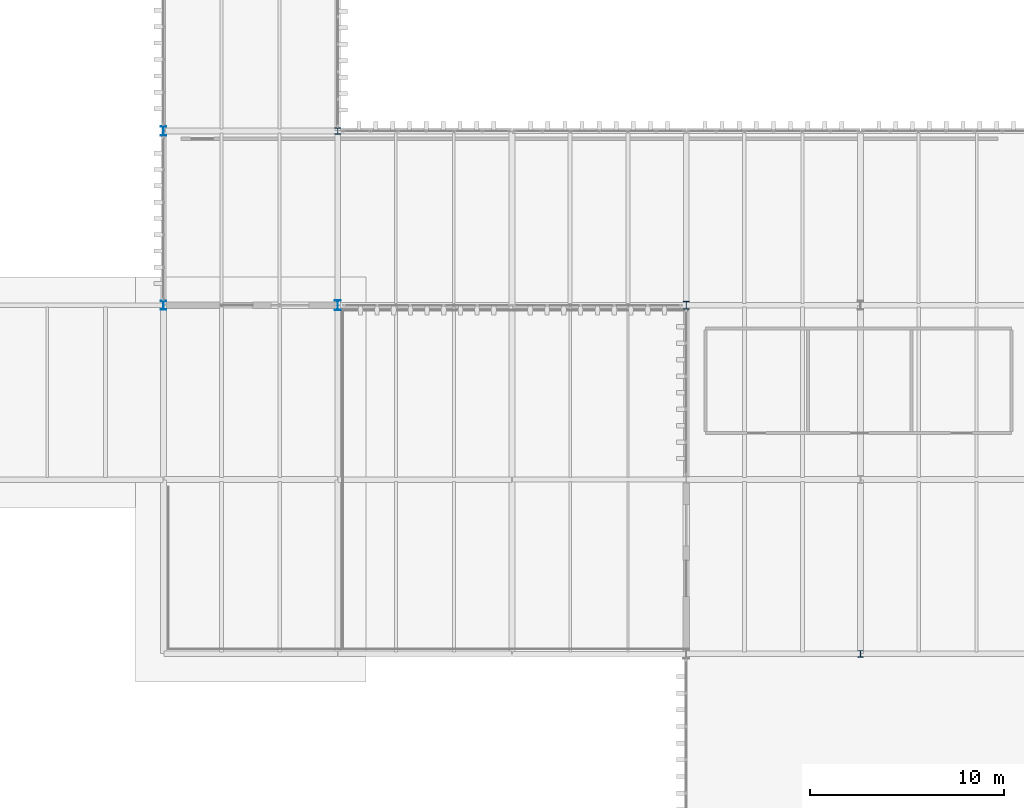
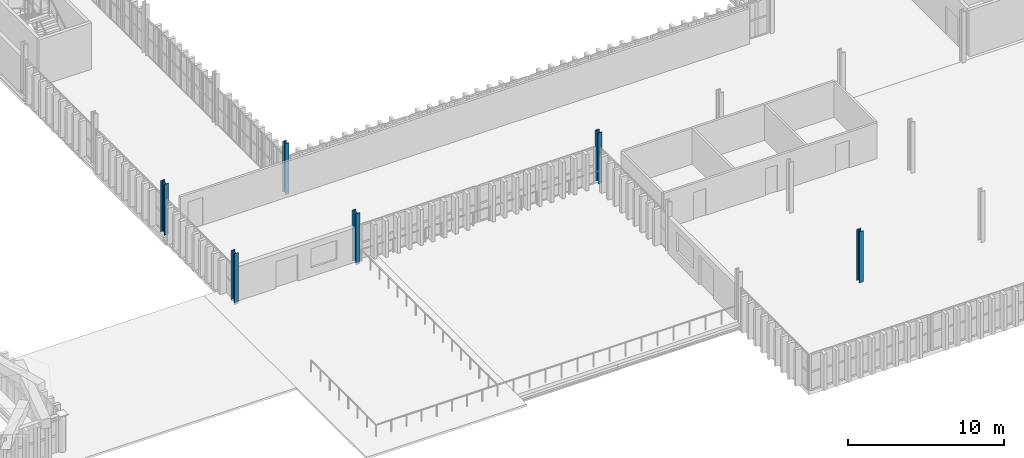
# One storey, part 7 of 102: 6 columns.
"""IFC4 building model written with IfcOpenShell, lengths in metres."""

from ifc_helpers import new_model, si_unit, direction, frame, origin, origin_2d, place, context, subcontext, project, spatial, i_section, extrude, material, material_profile, profile_set, type_object, element, save


model = new_model("IFC4")

# Units and contexts
model_context = context("Model", 3, precision=1e-05, world=origin(), true_north=direction((0.0, 1.0)))
body_context = subcontext(model_context, "Body", "Model", "MODEL_VIEW")
ifc_project = project(units=[si_unit("LENGTHUNIT", "METRE"), si_unit("AREAUNIT", "SQUARE_METRE"), si_unit("VOLUMEUNIT", "CUBIC_METRE"), si_unit("PLANEANGLEUNIT", "RADIAN"), si_unit("MASSUNIT", "GRAM", prefix="KILO")], contexts=[model_context])

# Site, building, storey
site_placement = place(None, origin())
site = spatial("IfcSite", under=ifc_project, at=site_placement, CompositionType="ELEMENT")
building_placement = place(site_placement, origin())
building = spatial("IfcBuilding", under=site, at=building_placement, Name="Barlavento Convention Centre", CompositionType="ELEMENT")
storey_placement = place(building_placement, frame((0.0, 0.0, 22.800048828125)))
storey = spatial("IfcBuildingStorey", under=building, at=storey_placement, Name="L04", CompositionType="ELEMENT", Elevation=22.800048828125)

# Columns
ifc_material = material(Name="Steel S355", Category="steel")
ifc_material_profile_1 = material_profile(ifc_material, i_section(OverallWidth=0.300048828125, OverallDepth=0.340087890625, WebThickness=0.011962890625, FlangeThickness=0.021484375, FilletRadius=0.027099609375, at=origin_2d()), Name="HEB 340")
ifc_profile_set_1 = profile_set([ifc_material_profile_1], Name="Steel S355")
column_type_1 = type_object("IfcColumnType", Name="STR-COL-HEB340", PredefinedType="COLUMN", material=ifc_profile_set_1)
for number, where, z_axis, x_axis, name in (
    (1, (135.0, 63.0, 0.0), (0.0, 0.0, 1.0), (1.0, 0.0, 0.0), "L04 column SC12"),
    (2, (162.0, 36.0, 0.0), (0.0, 0.0, 1.0), (1.0, 0.0, 0.0), "L04 column SC12"),
):
    element("IfcColumn", number, at=place(storey_placement, frame(where, z_axis=z_axis, x_axis=x_axis)), inside=storey, type_object=column_type_1, Name=name, PredefinedType="COLUMN", context=body_context, shape_type="SweptSolid", body=[
        extrude(i_section(OverallWidth=0.300048828125, OverallDepth=0.340087890625, WebThickness=0.011962890625, FlangeThickness=0.021484375, FilletRadius=0.027099609375, at=origin_2d()), origin(), (0.0, 0.0, 1.0), 4.0),
    ])
ifc_material_profile_2 = material_profile(ifc_material, i_section(OverallWidth=0.300048828125, OverallDepth=0.39990234375, WebThickness=0.013427734375, FlangeThickness=0.02392578125, FilletRadius=0.027099609375, at=origin_2d()), Name="HEB 400")
ifc_profile_set_2 = profile_set([ifc_material_profile_2], Name="Steel S355")
column_type_2 = type_object("IfcColumnType", Name="STR-COL-HEB400", PredefinedType="COLUMN", material=ifc_profile_set_2)
column_1_placement = place(storey_placement, frame((153.0, 54.0, 0.0), z_axis=(0.0, 0.0, 1.0), x_axis=(1.0, 0.0, 0.0)))
element("IfcColumn", 3, at=column_1_placement, inside=storey, type_object=column_type_2, Name="L04 column SC11", PredefinedType="COLUMN", context=body_context, shape_type="SweptSolid", body=[
    extrude(i_section(OverallWidth=0.300048828125, OverallDepth=0.39990234375, WebThickness=0.013427734375, FlangeThickness=0.02392578125, FilletRadius=0.027099609375, at=origin_2d()), origin(), (0.0, 0.0, 1.0), 4.0),
])
ifc_material_profile_3 = material_profile(ifc_material, i_section(OverallWidth=0.300048828125, OverallDepth=0.449951171875, WebThickness=0.013916015625, FlangeThickness=0.02587890625, FilletRadius=0.027099609375, at=origin_2d()), Name="HEB 450")
ifc_profile_set_3 = profile_set([ifc_material_profile_3], Name="Steel S355")
column_type_3 = type_object("IfcColumnType", Name="STR-COL-HEB450", PredefinedType="COLUMN", material=ifc_profile_set_3)
column_2_placement = place(storey_placement, frame((126.0, 54.0, 0.0), z_axis=(0.0, 0.0, 1.0), x_axis=(1.0, 0.0, 0.0)))
element("IfcColumn", 4, at=column_2_placement, inside=storey, type_object=column_type_3, Name="L04 column SC10", PredefinedType="COLUMN", context=body_context, shape_type="SweptSolid", body=[
    extrude(i_section(OverallWidth=0.300048828125, OverallDepth=0.449951171875, WebThickness=0.013916015625, FlangeThickness=0.02587890625, FilletRadius=0.027099609375, at=origin_2d()), origin(), (0.0, 0.0, 1.0), 4.0),
])
ifc_material_profile_4 = material_profile(ifc_material, i_section(OverallWidth=0.300048828125, OverallDepth=0.5, WebThickness=0.014404296875, FlangeThickness=0.028076171875, FilletRadius=0.027099609375, at=origin_2d()), Name="HEB 500")
ifc_profile_set_4 = profile_set([ifc_material_profile_4], Name="Steel S355")
column_type_4 = type_object("IfcColumnType", Name="STR-COL-HEB500", PredefinedType="COLUMN", material=ifc_profile_set_4)
for number, where, z_axis, x_axis, name in (
    (5, (126.0, 63.0, 0.0), (0.0, 0.0, 1.0), (1.0, 0.0, 0.0), "L04 column SC09"),
    (6, (135.0, 54.0, 0.0), (0.0, 0.0, 1.0), (1.0, 0.0, 0.0), "L04 column SC09"),
):
    element("IfcColumn", number, at=place(storey_placement, frame(where, z_axis=z_axis, x_axis=x_axis)), inside=storey, type_object=column_type_4, Name=name, PredefinedType="COLUMN", context=body_context, shape_type="SweptSolid", body=[
        extrude(i_section(OverallWidth=0.300048828125, OverallDepth=0.5, WebThickness=0.014404296875, FlangeThickness=0.028076171875, FilletRadius=0.027099609375, at=origin_2d()), origin(), (0.0, 0.0, 1.0), 4.0),
    ])

save(model, "model.ifc")
